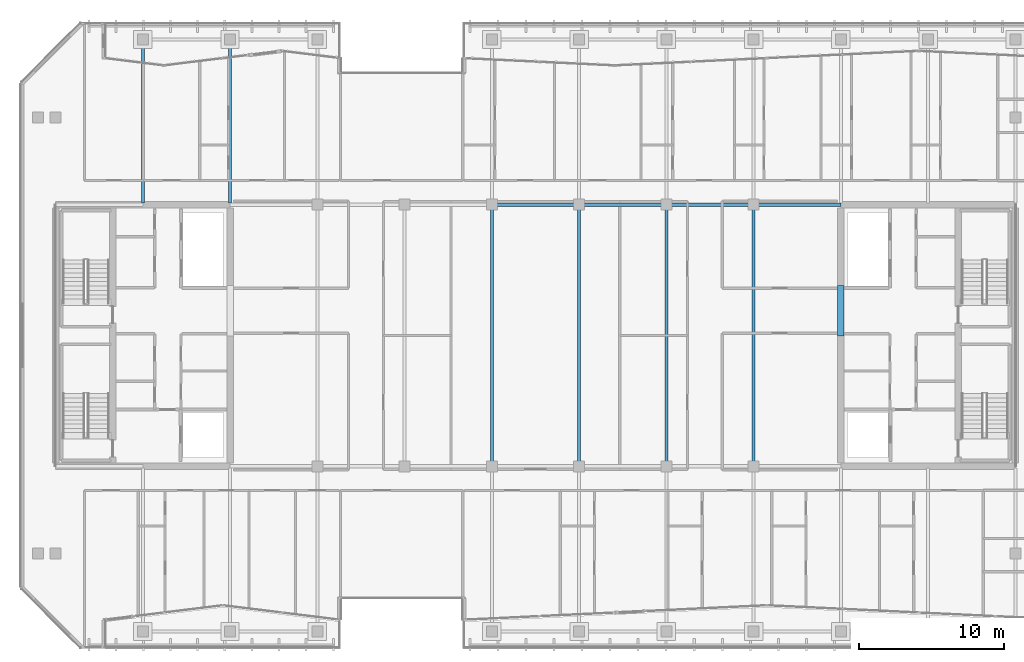
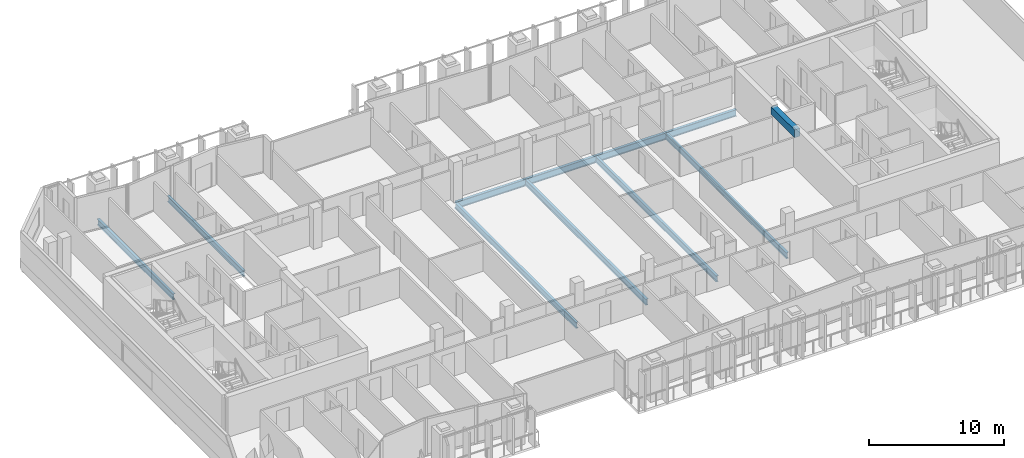
# One storey, part 9 of 31: 11 beams.
"""IFC4 building model written with IfcOpenShell, lengths in metres."""

from ifc_helpers import new_model, si_unit, direction, frame, origin, origin_2d, place, context, subcontext, project, spatial, rectangle, i_section, extrude, material, material_profile, profile_set, type_object, element, save


model = new_model("IFC4")

# Units and contexts
model_context = context("Model", 3, precision=1e-05, world=origin(), true_north=direction((0.0, 1.0)))
body_context = subcontext(model_context, "Body", "Model", "MODEL_VIEW")
ifc_project = project(units=[si_unit("LENGTHUNIT", "METRE"), si_unit("AREAUNIT", "SQUARE_METRE"), si_unit("VOLUMEUNIT", "CUBIC_METRE"), si_unit("PLANEANGLEUNIT", "RADIAN"), si_unit("MASSUNIT", "GRAM", prefix="KILO")], contexts=[model_context])

# Site, building, storey
site_placement = place(None, origin())
site = spatial("IfcSite", under=ifc_project, at=site_placement, CompositionType="ELEMENT")
building_placement = place(site_placement, origin())
building = spatial("IfcBuilding", under=site, at=building_placement, Name="Tanjung Sevakor Pilgrim Tower", CompositionType="ELEMENT")
storey_placement = place(building_placement, frame((0.0, 0.0, 208.22998046875)))
storey = spatial("IfcBuildingStorey", under=building, at=storey_placement, Name="L58", CompositionType="ELEMENT", Elevation=208.22998046875)

# Beams
ifc_material_1 = material(Name="Steel S355J2", Category="steel")
ifc_material_profile_1 = material_profile(ifc_material_1, i_section(OverallWidth=0.22900390625, OverallDepth=0.6123046875, WebThickness=0.011962890625, FlangeThickness=0.01953125, FilletRadius=0.0126953125, at=origin_2d()))
ifc_profile_set_1 = profile_set([ifc_material_profile_1], Name="Steel S355J2")
beam_type_1 = type_object("IfcBeamType", Name="BM-B-G4-UB_610x229x125", PredefinedType="BEAM", material=ifc_profile_set_1)
for number, where, z_axis, x_axis, name in (
    (1, (54.0, 42.60009765625, -0.526123046875), (1.0, 0.0, 0.0), (0.0, 1.0, 0.0), "L58 Primary Floor Girder MAIN Y426-05"),
    (2, (60.0, 42.60009765625, -0.526123046875), (1.0, 0.0, 0.0), (0.0, 1.0, 0.0), "L58 Primary Floor Girder MAIN Y426-06"),
    (3, (66.0, 42.60009765625, -0.526123046875), (1.0, 0.0, 0.0), (0.0, 1.0, 0.0), "L58 Primary Floor Girder MAIN Y426-07"),
    (4, (72.0, 42.60009765625, -0.526123046875), (1.0, 0.0, 0.0), (0.0, 1.0, 0.0), "L58 Primary Floor Girder MAIN Y426-08"),
):
    element("IfcBeam", number, at=place(storey_placement, frame(where, z_axis=z_axis, x_axis=x_axis)), inside=storey, type_object=beam_type_1, Name=name, PredefinedType="BEAM", context=body_context, shape_type="SweptSolid", body=[
        extrude(i_section(OverallWidth=0.22900390625, OverallDepth=0.6123046875, WebThickness=0.011962890625, FlangeThickness=0.01953125, FilletRadius=0.0126953125, at=origin_2d()), origin(), (0.0, 0.0, 1.0), 6.0),
    ])
ifc_material_2 = material(Name="Steel S355J2", Category="steel")
ifc_material_profile_2 = material_profile(ifc_material_2, i_section(OverallWidth=0.2119140625, OverallDepth=0.54443359375, WebThickness=0.0126953125, FlangeThickness=0.021240234375, FilletRadius=0.0126953125, at=origin_2d()))
ifc_profile_set_2 = profile_set([ifc_material_profile_2], Name="Steel S355J2")
beam_type_2 = type_object("IfcBeamType", Name="BM-B-G5-UB_533x210x122", PredefinedType="BEAM", material=ifc_profile_set_2)
for number, where, z_axis, x_axis, name in (
    (5, (30.0, 42.714599609375, -0.4921875), (0.0, 1.0, 0.0), (-1.0, 0.0, 0.0), "L58 MAIN Girder 002"),
    (6, (36.0, 42.714599609375, -0.4921875), (0.0, 1.0, 0.0), (-1.0, 0.0, 0.0), "L58 MAIN Girder 004"),
):
    element("IfcBeam", number, at=place(storey_placement, frame(where, z_axis=z_axis, x_axis=x_axis)), inside=storey, type_object=beam_type_2, Name=name, PredefinedType="BEAM", context=body_context, shape_type="SweptSolid", body=[
        extrude(i_section(OverallWidth=0.2119140625, OverallDepth=0.54443359375, WebThickness=0.0126953125, FlangeThickness=0.021240234375, FilletRadius=0.0126953125, at=origin_2d()), origin(), (0.0, 0.0, 1.0), 11.2353515625),
    ])
for number, where, z_axis, x_axis, name in (
    (7, (54.0, 24.60009765625, -0.4921875), (0.0, 1.0, 0.0), (-1.0, 0.0, 0.0), "L58 MAIN Girder 010"),
    (8, (60.0, 24.60009765625, -0.4921875), (0.0, 1.0, 0.0), (-1.0, 0.0, 0.0), "L58 MAIN Girder 013"),
    (9, (66.0, 24.60009765625, -0.4921875), (0.0, 1.0, 0.0), (-1.0, 0.0, 0.0), "L58 MAIN Girder 016"),
    (10, (72.0, 24.60009765625, -0.4921875), (0.0, 1.0, 0.0), (-1.0, 0.0, 0.0), "L58 MAIN Girder 019"),
):
    element("IfcBeam", number, at=place(storey_placement, frame(where, z_axis=z_axis, x_axis=x_axis)), inside=storey, type_object=beam_type_2, Name=name, PredefinedType="BEAM", context=body_context, shape_type="SweptSolid", body=[
        extrude(i_section(OverallWidth=0.2119140625, OverallDepth=0.54443359375, WebThickness=0.0126953125, FlangeThickness=0.021240234375, FilletRadius=0.0126953125, at=origin_2d()), origin(), (0.0, 0.0, 1.0), 18.0),
    ])
ifc_material_3 = material(Name="Concrete C60/75", Category="concrete")
ifc_material_profile_3 = material_profile(ifc_material_3, rectangle(XDim=0.449951171875, YDim=0.699951171875, at=origin_2d()))
ifc_profile_set_3 = profile_set([ifc_material_profile_3], Name="Concrete C60/75")
beam_type_3 = type_object("IfcBeamType", Name="BM-B-LN3-RC-BM_450x700", PredefinedType="LINTEL", material=ifc_profile_set_3)
beam_placement = place(storey_placement, frame((78.0, 33.550048828125, 3.06005859375), z_axis=(0.0, 1.0, 0.0), x_axis=(-1.0, 0.0, 0.0)))
element("IfcBeam", 11, at=beam_placement, inside=storey, type_object=beam_type_3, Name="L58 E Core Coupling Lintel", PredefinedType="LINTEL", context=body_context, shape_type="SweptSolid", body=[
    extrude(rectangle(XDim=0.449951171875, YDim=0.699951171875, at=origin_2d()), origin(), (0.0, 0.0, 1.0), 3.5),
])

save(model, "model.ifc")
